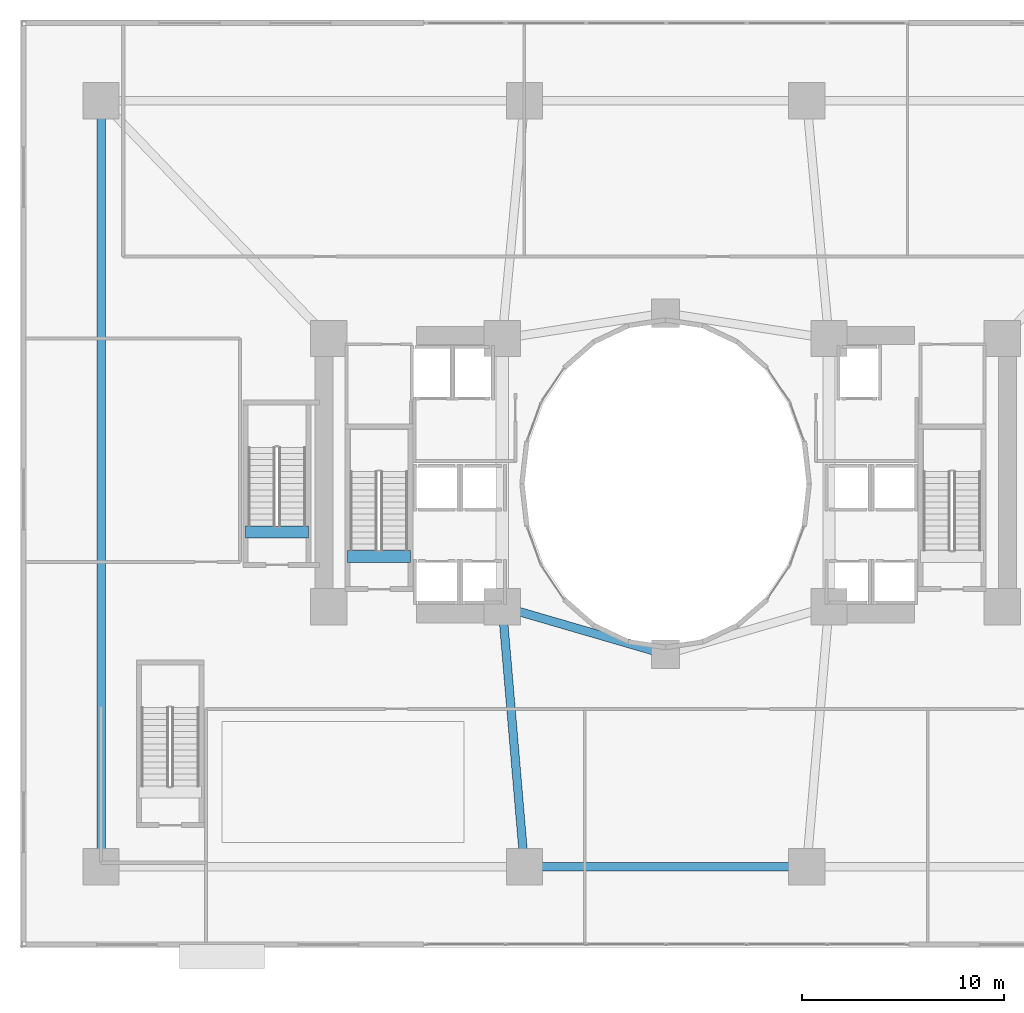
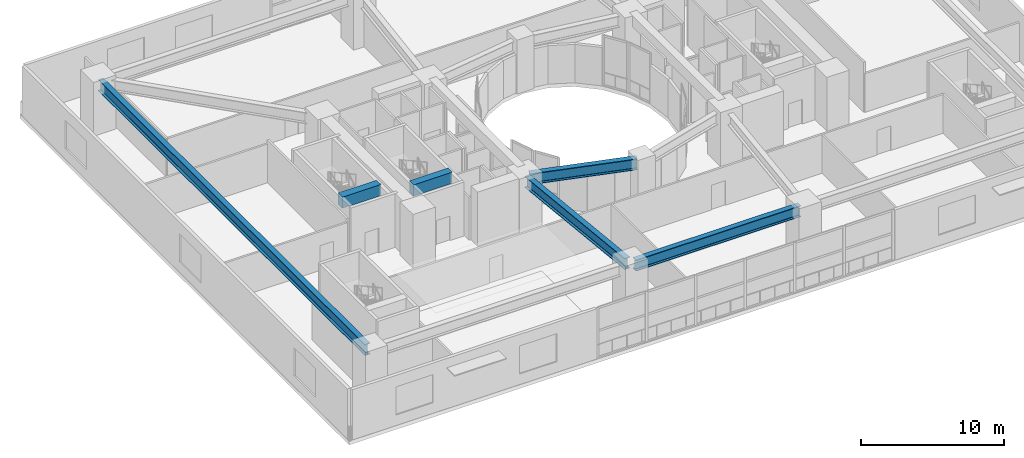
# One storey, part 3 of 25: 6 beams.
"""IFC4 building model written with IfcOpenShell, lengths in metres."""

import ifcopenshell
import ifcopenshell.guid

model = None  # the IFC model being written
_history = None  # IfcOwnerHistory: only IFC2X3 demands one
_inside = {}  # id of a spatial element -> (the spatial element, [elements in it])
_under = {}  # id of a project, library or spatial element -> (it, [spatial elements below it])
_declared = {}  # id of a project -> (the project, [libraries it declares])
_typed = {}  # id of a type object -> (the type object, [elements of that type])
_made_of = {}  # id of a material, layer set ... -> (it, [elements and type objects made of it])


def new_model(schema):
    """Start an empty IFC model of exactly this schema.

    Asked for "IFC4X3", IfcOpenShell would pick the latest addendum, in which some entities
    have other attributes; the version numbers below select the first issue.
    IFC2X3 requires an IfcOwnerHistory on every rooted entity: one is made here for all.
    """
    global model, _history
    if schema == "IFC4X3":
        model = ifcopenshell.file(schema_version=(4, 3, 0, 0))
    else:
        model = ifcopenshell.file(schema=schema)
    _inside.clear()
    _under.clear()
    _declared.clear()
    _typed.clear()
    _made_of.clear()
    _history = None
    if model.schema == "IFC2X3":
        org = make("IfcOrganization", Name="unknown")
        user = make(
            "IfcPersonAndOrganization",
            ThePerson=make("IfcPerson", FamilyName="unknown"),
            TheOrganization=org,
        )
        app = make(
            "IfcApplication",
            ApplicationDeveloper=org,
            Version="unknown",
            ApplicationFullName="unknown",
            ApplicationIdentifier="unknown",
        )
        _history = make(
            "IfcOwnerHistory",
            OwningUser=user,
            OwningApplication=app,
            ChangeAction="ADDED",
            CreationDate=0,
        )
    return model


def make(cls, **values):
    """One entity of the class cls with the attributes given. An attribute that is None is left unset."""
    return model.create_entity(
        cls, **{name: value for name, value in values.items() if value is not None}
    )


def rooted(cls, **values):
    """An entity with a GlobalId (a new one), such as an element, a storey or a relation."""
    return make(cls, GlobalId=ifcopenshell.guid.new(), OwnerHistory=_history, **values)


def si_unit(unit_type, name, prefix=None):
    """IfcSIUnit, for example si_unit("LENGTHUNIT", "METRE", prefix="MILLI")."""
    return make("IfcSIUnit", UnitType=unit_type, Prefix=prefix, Name=name)


def assignment(units):
    """IfcUnitAssignment: the units of a project."""
    return None if units is None else make("IfcUnitAssignment", Units=units)


def point(xyz):
    """IfcCartesianPoint."""
    return None if xyz is None else make("IfcCartesianPoint", Coordinates=xyz)


def direction(xyz):
    """IfcDirection."""
    return None if xyz is None else make("IfcDirection", DirectionRatios=xyz)


def frame(location, z_axis=None, x_axis=None):
    """IfcAxis2Placement3D, a coordinate frame: its origin and axes. An axis left out is left unset."""
    return make(
        "IfcAxis2Placement3D",
        Location=point(location),
        Axis=direction(z_axis),
        RefDirection=direction(x_axis),
    )


def frame_2d(location, x_axis=None):
    """IfcAxis2Placement2D, a coordinate frame in the plane: its origin and x axis."""
    return make(
        "IfcAxis2Placement2D", Location=point(location), RefDirection=direction(x_axis)
    )


def origin():
    """The frame at (0, 0, 0) with its axes left unset."""
    return frame((0.0, 0.0, 0.0))


def origin_2d():
    """The frame at (0, 0) in the plane with its x axis left unset."""
    return frame_2d((0.0, 0.0))


def place(relative_to, where):
    """IfcLocalPlacement: puts the frame where relative to a parent placement (None: the world)."""
    return make(
        "IfcLocalPlacement", PlacementRelTo=relative_to, RelativePlacement=where
    )


def context(
    kind, dimensions, precision=None, world=None, true_north=None, identifier=None
):
    """IfcGeometricRepresentationContext, for example the 3D "Model" context."""
    return make(
        "IfcGeometricRepresentationContext",
        ContextIdentifier=identifier,
        ContextType=kind,
        CoordinateSpaceDimension=dimensions,
        Precision=precision,
        WorldCoordinateSystem=world,
        TrueNorth=true_north,
    )


def subcontext(parent, identifier, kind, view, scale=None):
    """IfcGeometricRepresentationSubContext, for example "Body" below "Model"."""
    return make(
        "IfcGeometricRepresentationSubContext",
        ContextIdentifier=identifier,
        ContextType=kind,
        ParentContext=parent,
        TargetScale=scale,
        TargetView=view,
    )


def project(units=None, contexts=None):
    """IfcProject with its units and contexts."""
    return rooted(
        "IfcProject",
        Name="project",
        RepresentationContexts=contexts,
        UnitsInContext=assignment(units),
    )


def spatial(cls, under=None, at=None, **own):
    """A site, building, storey or space (cls), placed at a placement, below another one or the project."""
    s = rooted(cls, ObjectPlacement=at, **own)
    if under is not None:
        _under.setdefault(under.id(), (under, []))[1].append(s)
    return s


def profile(cls, at=None, kind="AREA", **sizes):
    """A parametric profile (cls). Its sizes go by their IFC names, for example OverallWidth=200.0."""
    return make(cls, ProfileType=kind, Position=at, **sizes)


def rectangle(**sizes):
    """IfcRectangleProfileDef."""
    return profile("IfcRectangleProfileDef", **sizes)


def i_section(**sizes):
    """IfcIShapeProfileDef."""
    return profile("IfcIShapeProfileDef", **sizes)


def extrude(swept, where, along, depth):
    """IfcExtrudedAreaSolid: the profile swept, set in the frame where, extruded along a direction by depth."""
    return make(
        "IfcExtrudedAreaSolid",
        SweptArea=swept,
        Position=where,
        ExtrudedDirection=direction(along),
        Depth=depth,
    )


def shape(context_of_items, identifier, shape_type, items):
    """IfcShapeRepresentation: the items that make up one representation, for example the "Body"."""
    return make(
        "IfcShapeRepresentation",
        ContextOfItems=context_of_items,
        RepresentationIdentifier=identifier,
        RepresentationType=shape_type,
        Items=items,
    )


def material(Name=None, Category=None):
    """IfcMaterial."""
    return make("IfcMaterial", Name=Name, Category=Category)


def material_profile(
    of_material, cross_section, Name=None, Category=None, Priority=None
):
    """IfcMaterialProfile: a cross section and its material."""
    return make(
        "IfcMaterialProfile",
        Name=Name,
        Material=of_material,
        Profile=cross_section,
        Priority=Priority,
        Category=Category,
    )


def profile_set(profiles, Name=None, composite=None):
    """IfcMaterialProfileSet."""
    return make(
        "IfcMaterialProfileSet",
        Name=Name,
        MaterialProfiles=profiles,
        CompositeProfile=composite,
    )


def made_of(thing, what):
    """Note that an element or type object is made of a material, layer set ...; save() writes the relation."""
    if what is not None:
        _made_of.setdefault(what.id(), (what, []))[1].append(thing)
    return thing


def type_object(cls, material=None, **own):
    """A type object (cls), such as IfcWallType, which elements share."""
    return made_of(rooted(cls, **own), material)


def element(
    cls,
    number,
    at=None,
    inside=None,
    cuts=None,
    type_object=None,
    material=None,
    context=None,
    identifier="Body",
    shape_type=None,
    held_by="IfcProductDefinitionShape",
    body=None,
    shapes=None,
    **own,
):
    """One element of the class cls, such as IfcWall. Its Tag is "e" and its number.

    at: its placement. inside: the storey or other place that contains it. cuts: it is an
    opening in that element (IfcRelVoidsElement). A single representation is given by context,
    identifier, shape_type and body (its items); several are given by shapes. held_by: the class
    of the entity that holds the representations. save() writes the other relations.
    """
    e = rooted(cls, Tag="e%d" % number, ObjectPlacement=at, **own)
    if body is not None:
        shapes = [shape(context, identifier, shape_type, body)]
    if shapes is not None:
        e.Representation = make(held_by, Representations=shapes)
    if inside is not None:
        _inside.setdefault(inside.id(), (inside, []))[1].append(e)
    if cuts is not None:
        rooted(
            "IfcRelVoidsElement", RelatingBuildingElement=cuts, RelatedOpeningElement=e
        )
    if type_object is not None:
        _typed.setdefault(type_object.id(), (type_object, []))[1].append(e)
    return made_of(e, material)


def aggregate(whole, parts):
    """IfcRelAggregates: a whole, such as a stair, and the parts it consists of."""
    return rooted("IfcRelAggregates", RelatingObject=whole, RelatedObjects=parts)


def save(model, path):
    """Write the relations noted so far, then the file.

    IfcRelAggregates (storeys below a building ...), IfcRelContainedInSpatialStructure (elements
    in a storey), IfcRelDefinesByType, IfcRelAssociatesMaterial and IfcRelDeclares: one each for
    every whole, place, type object, material and project.
    """
    for whole, parts in _under.values():
        aggregate(whole, parts)
    for where, things in _inside.values():
        rooted(
            "IfcRelContainedInSpatialStructure",
            RelatedElements=things,
            RelatingStructure=where,
        )
    for kind, things in _typed.values():
        rooted("IfcRelDefinesByType", RelatedObjects=things, RelatingType=kind)
    for what, things in _made_of.values():
        rooted("IfcRelAssociatesMaterial", RelatedObjects=things, RelatingMaterial=what)
    for by, libraries in _declared.values():
        rooted("IfcRelDeclares", RelatingContext=by, RelatedDefinitions=libraries)
    model.write(path)


model = new_model("IFC4")

# Units and contexts
model_context = context("Model", 3, precision=1e-05, world=origin(), true_north=direction((0.0, 1.0)))
body_context = subcontext(model_context, "Body", "Model", "MODEL_VIEW")
ifc_project = project(units=[si_unit("LENGTHUNIT", "METRE"), si_unit("AREAUNIT", "SQUARE_METRE"), si_unit("VOLUMEUNIT", "CUBIC_METRE"), si_unit("PLANEANGLEUNIT", "RADIAN"), si_unit("MASSUNIT", "GRAM", prefix="KILO")], contexts=[model_context])

# Site, building, storey
site_placement = place(None, origin())
site = spatial("IfcSite", under=ifc_project, at=site_placement, CompositionType="ELEMENT")
building_placement = place(site_placement, origin())
building = spatial("IfcBuilding", under=site, at=building_placement, Name="Solvane Sanctuary Tower", CompositionType="ELEMENT")
storey_placement = place(building_placement, frame((0.0, 0.0, 13.800048828125)))
storey = spatial("IfcBuildingStorey", under=building, at=storey_placement, Name="L04", CompositionType="ELEMENT", Elevation=13.800048828125)

# Beams
ifc_material_1 = material(Name="Concrete C70/85", Category="concrete")
ifc_material_profile_1 = material_profile(ifc_material_1, rectangle(XDim=0.60009765625, YDim=0.949951171875, at=origin_2d()), Name="RC600X950")
ifc_profile_set_1 = profile_set([ifc_material_profile_1], Name="Concrete C70/85")
beam_type_1 = type_object("IfcBeamType", Name="Beam B-COUPLE RC600X950", PredefinedType="LINTEL", material=ifc_profile_set_1)
for number, where, z_axis, x_axis, name in (
    (1, (16.22998046875, 19.399169921875, 4.125), (1.0, 0.0, 0.0), (0.0, 1.0, 0.0), "L04 ST-1 Stair Floor Landing Trimmer"),
    (2, (11.169921875, 20.59912109375, 4.125), (1.0, 0.0, 0.0), (0.0, 1.0, 0.0), "L04 ST-3 Stair Floor Landing Trimmer"),
):
    element("IfcBeam", number, at=place(storey_placement, frame(where, z_axis=z_axis, x_axis=x_axis)), inside=storey, type_object=beam_type_1, Name=name, PredefinedType="LINTEL", context=body_context, shape_type="SweptSolid", body=[
        extrude(rectangle(XDim=0.60009765625, YDim=0.949951171875, at=origin_2d()), origin(), (0.0, 0.0, 1.0), 3.1201171875),
    ])
ifc_material_2 = material(Name="Steel ASTM A913 Grade 65", Category="steel")
ifc_material_profile_2 = material_profile(ifc_material_2, i_section(OverallWidth=0.423095703125, OverallDepth=0.947998046875, WebThickness=0.02392578125, FlangeThickness=0.042724609375, FilletRadius=0.02392578125, at=origin_2d()), Name="W36X302")
ifc_profile_set_2 = profile_set([ifc_material_profile_2], Name="Steel ASTM A913 Grade 65")
beam_type_2 = type_object("IfcBeamType", Name="Beam B-POD-GIRD W36X302", PredefinedType="BEAM", material=ifc_profile_set_2)
beam_1_placement = place(storey_placement, frame((25.35009765625, 4.0, 3.803955078125), z_axis=(1.0, 0.0, 0.0), x_axis=(0.0, 1.0, 0.0)))
element("IfcBeam", 3, at=beam_1_placement, inside=storey, type_object=beam_type_2, Name="L04 Podium Primary Girder PG2", PredefinedType="BEAM", context=body_context, shape_type="SweptSolid", body=[
    extrude(i_section(OverallWidth=0.423095703125, OverallDepth=0.947998046875, WebThickness=0.02392578125, FlangeThickness=0.042724609375, FilletRadius=0.02392578125, at=origin_2d()), origin(), (0.0, 0.0, 1.0), 13.2998046875),
])
beam_2_placement = place(storey_placement, frame((4.0, 41.64990234375, 3.803955078125), z_axis=(0.0, -1.0, 0.0), x_axis=(1.0, 0.0, 0.0)))
element("IfcBeam", 4, at=beam_2_placement, inside=storey, type_object=beam_type_2, Name="L04 Podium Primary Girder PG8", PredefinedType="BEAM", context=body_context, shape_type="SweptSolid", body=[
    extrude(i_section(OverallWidth=0.423095703125, OverallDepth=0.947998046875, WebThickness=0.02392578125, FlangeThickness=0.042724609375, FilletRadius=0.02392578125, at=origin_2d()), origin(), (0.0, 0.0, 1.0), 37.2998046875),
])
beam_3_placement = place(storey_placement, frame((24.97021484375, 4.3486328125, 3.803955078125), z_axis=(-0.084962372295, 0.996384160499, 0.0), x_axis=(-0.996384160499, -0.084962372295, 0.0)))
element("IfcBeam", 5, at=beam_3_placement, inside=storey, type_object=beam_type_2, Name="L04 Podium Primary Girder PG9", PredefinedType="BEAM", context=body_context, shape_type="SweptSolid", body=[
    extrude(i_section(OverallWidth=0.423095703125, OverallDepth=0.947998046875, WebThickness=0.02392578125, FlangeThickness=0.042724609375, FilletRadius=0.02392578125, at=origin_2d()), origin(), (0.0, 0.0, 1.0), 12.246826171875),
])
beam_4_placement = place(storey_placement, frame((24.236083984375, 16.802001953125, 3.803955078125), z_axis=(0.960084424813, -0.279710380987, 0.0), x_axis=(0.279710380987, 0.960084424813, 0.0)))
element("IfcBeam", 6, at=beam_4_placement, inside=storey, type_object=beam_type_2, Name="L04 Podium Primary Girder PG17", PredefinedType="BEAM", context=body_context, shape_type="SweptSolid", body=[
    extrude(i_section(OverallWidth=0.423095703125, OverallDepth=0.947998046875, WebThickness=0.02392578125, FlangeThickness=0.042724609375, FilletRadius=0.02392578125, at=origin_2d()), origin(), (0.0, 0.0, 1.0), 7.73681640625),
])

save(model, "model.ifc")
